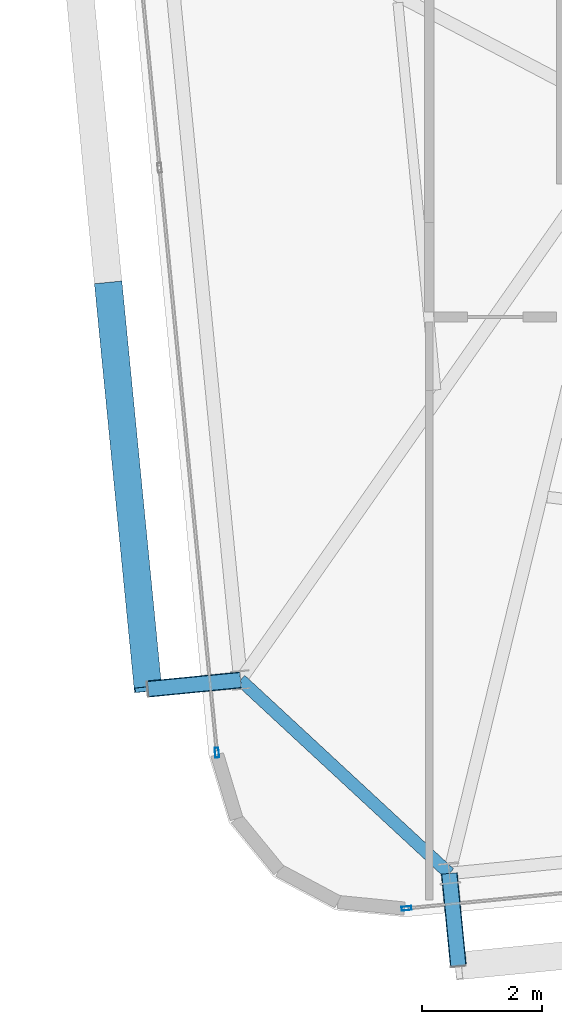
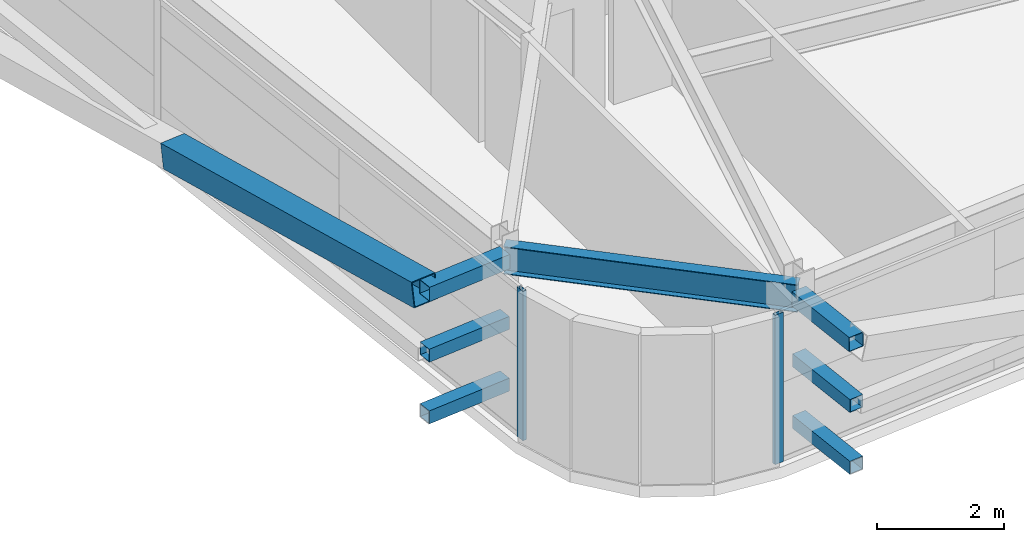
# One storey, part 5 of 47: 9 members, 1 beam, 2 elements without a shape of their own.
"""IFC4 building model written with IfcOpenShell, lengths in metres."""

from ifc_helpers import new_model, si_unit, direction, frame, origin, origin_2d, place, context, subcontext, project, spatial, hollow_rectangle, i_section, extrude, source, transform, mapped, material, layer, layer_set, material_profile, profile_set, type_object, element, aggregate, save


model = new_model("IFC4")

# Units and contexts
model_context = context("Model", 3, precision=1e-05, world=origin(), true_north=direction((0.0, 1.0)))
body_context = subcontext(model_context, "Body", "Model", "MODEL_VIEW")
ifc_project = project(units=[si_unit("LENGTHUNIT", "METRE"), si_unit("AREAUNIT", "SQUARE_METRE"), si_unit("VOLUMEUNIT", "CUBIC_METRE"), si_unit("PLANEANGLEUNIT", "RADIAN"), si_unit("MASSUNIT", "GRAM", prefix="KILO")], contexts=[model_context])

# Site, building, storey
site_placement = place(None, origin())
site = spatial("IfcSite", under=ifc_project, at=site_placement, CompositionType="ELEMENT")
building_placement = place(site_placement, origin())
building = spatial("IfcBuilding", under=site, at=building_placement, Name="Taldren Reach Tower", CompositionType="ELEMENT")
storey_placement = place(building_placement, frame((0.0, 0.0, 109.199951171875)))
storey = spatial("IfcBuildingStorey", under=building, at=storey_placement, Name="L33", CompositionType="ELEMENT", Elevation=109.199951171875)

# Beam
ifc_material_1 = material(Name="Steel Gr 350 (350PLUS)", Category="steel")
ifc_material_profile_1 = material_profile(ifc_material_1, i_section(OverallWidth=0.208984375, OverallDepth=0.528076171875, WebThickness=0.009521484375, FlangeThickness=0.01318359375, at=origin_2d()), Name="530UB82.0")
ifc_profile_set_1 = profile_set([ifc_material_profile_1], Name="Steel Gr 350 (350PLUS)")
beam_type = type_object("IfcBeamType", Name="SP-UB530B", PredefinedType="SPANDREL", material=ifc_profile_set_1)
shared_shape_1 = source(origin(), body_context, "Body", "SweptSolid", [
    extrude(i_section(OverallWidth=0.208984375, OverallDepth=0.528076171875, WebThickness=0.009521484375, FlangeThickness=0.01318359375, at=origin_2d()), origin(), (0.0, 0.0, 1.0), 4.745849609375),
])
beam_placement = place(storey_placement, frame((11.452880859375, 3.145751953125, 2.60595703125), z_axis=(0.733524121458, -0.679663419083, 0.0), x_axis=(0.679663419083, 0.733524121458, 0.0)))
element("IfcBeam", 1, at=beam_placement, inside=storey, type_object=beam_type, Name="Perimeter spandrel B2 W1-S1 L33", PredefinedType="SPANDREL", context=body_context, shape_type="MappedRepresentation", body=[
    mapped(shared_shape_1, transform((0.0, 0.0, 0.0), scale=1.0)),
])

# Members
ifc_material_2 = material(Name="Steel Gr 450 (C450L0)", Category="steel")
ifc_material_profile_2 = material_profile(ifc_material_2, hollow_rectangle(XDim=0.27490234375, YDim=0.27490234375, WallThickness=0.00927734375, at=origin_2d()), Name="275x275x9.3SHS")
ifc_profile_set_2 = profile_set([ifc_material_profile_2], Name="Steel Gr 450 (C450L0)")
member_type_1 = type_object("IfcMemberType", Name="MB-TIE273", PredefinedType="STRUT", material=ifc_profile_set_2)
shared_shape_2 = source(origin(), body_context, "Body", "SweptSolid", [
    extrude(hollow_rectangle(XDim=0.27490234375, YDim=0.27490234375, WallThickness=0.00927734375, at=origin_2d()), origin(), (0.0, 0.0, 1.0), 1.550048828125),
])
for number, where, z_axis, x_axis, name in (
    (2, (14.93408203125, -0.079833984375, 2.590087890625), (0.097647892962, -0.9952210252, 0.0), (0.9952210252, 0.097647892962, 0.0), "Exoskeleton diaphragm tie strut B2-S1 L33"),
    (3, (11.452880859375, 3.145751953125, 2.590087890625), (-0.995236318924, -0.097491894511, 0.0), (0.097491894511, -0.995236318924, 0.0), "Exoskeleton diaphragm tie strut B2-W1 L33"),
):
    element("IfcMember", number, at=place(storey_placement, frame(where, z_axis=z_axis, x_axis=x_axis)), inside=storey, type_object=member_type_1, Name=name, PredefinedType="STRUT", context=body_context, shape_type="MappedRepresentation", body=[
        mapped(shared_shape_2, transform((0.0, 0.0, 0.0), scale=1.0)),
    ])
ifc_material_3 = material(Name="Steel Gr 350 (C350L0)", Category="steel")
ifc_material_profile_3 = material_profile(ifc_material_3, hollow_rectangle(XDim=0.25, YDim=0.25, WallThickness=0.010009765625, at=origin_2d()), Name="250x250x10.0SHS")
ifc_profile_set_3 = profile_set([ifc_material_profile_3], Name="Steel Gr 350 (C350L0)")
member_type_2 = type_object("IfcMemberType", Name="MB-POST250", PredefinedType="POST", material=ifc_profile_set_3)
shared_shape_3 = source(origin(), body_context, "Body", "SweptSolid", [
    extrude(hollow_rectangle(XDim=0.25, YDim=0.25, WallThickness=0.010009765625, at=origin_2d()), origin(), (0.0, 0.0, 1.0), 1.550048828125),
])
for number, where, z_axis, x_axis, name in (
    (4, (14.93408203125, -0.079833984375, 0.219970703125), (0.097647892962, -0.9952210252, 0.0), (0.9952210252, 0.097647892962, 0.0), "Exoskeleton base diaphragm tie strut B2-S1 L33"),
    (5, (11.452880859375, 3.145751953125, 0.219970703125), (-0.995236318924, -0.097491894511, 0.0), (0.097491894511, -0.995236318924, 0.0), "Exoskeleton base diaphragm tie strut B2-W1 L33"),
    (6, (14.93408203125, -0.079833984375, 1.405029296875), (0.097647892962, -0.9952210252, 0.0), (0.9952210252, 0.097647892962, 0.0), "Exoskeleton mid-tier diaphragm tie B2-S1 L33"),
    (7, (11.452880859375, 3.145751953125, 1.405029296875), (-0.995236318924, -0.097491894511, 0.0), (0.097491894511, -0.995236318924, 0.0), "Exoskeleton mid-tier diaphragm tie B2-W1 L33"),
):
    element("IfcMember", number, at=place(storey_placement, frame(where, z_axis=z_axis, x_axis=x_axis)), inside=storey, type_object=member_type_2, Name=name, PredefinedType="POST", context=body_context, shape_type="MappedRepresentation", body=[
        mapped(shared_shape_3, transform((0.0, 0.0, 0.0), scale=1.0)),
    ])
ifc_material_profile_4 = material_profile(ifc_material_2, hollow_rectangle(XDim=0.4599609375, YDim=0.4599609375, WallThickness=0.01611328125, at=origin_2d()), Name="460x460x16.0SHS")
ifc_profile_set_4 = profile_set([ifc_material_profile_4], Name="Steel Gr 450 (C450L0)")
member_type_3 = type_object("IfcMemberType", Name="MB-EXO457", PredefinedType="BRACE", material=ifc_profile_set_4)
shared_shape_4 = source(origin(), body_context, "Body", "SweptSolid", [
    extrude(hollow_rectangle(XDim=0.4599609375, YDim=0.4599609375, WallThickness=0.01611328125, at=origin_2d()), origin(), (0.0, 0.0, 1.0), 6.8779296875),
])
member_1_placement = place(storey_placement, frame((9.2490234375, 9.7373046875, 1.405029296875), z_axis=(0.096124602974, -0.980343162824, 0.172300156143), x_axis=(0.995227290009, 0.097584021339, 0.0)))
element("IfcMember", 8, at=member_1_placement, inside=storey, type_object=member_type_3, Name="Exoskeleton Diagrid Brace B2-W1 L33", PredefinedType="BRACE", context=body_context, shape_type="MappedRepresentation", body=[
    mapped(shared_shape_4, transform((0.0, 0.0, 0.0), scale=1.0)),
])

# Curtain wall, member
ifc_material_4 = material(Name="Aluminium and Low-E Glass Unitised System", Category="aluminium")
ifc_layer = layer(ifc_material_4, 0.159912109375)
ifc_layer_set = layer_set([ifc_layer], Name="Aluminium and Low-E Glass Unitised System")
curtain_wall_type = type_object("IfcCurtainWallType", Name="CW-SYS-3", PredefinedType="NOTDEFINED", material=ifc_layer_set)
curtain_wall_1_placement = place(storey_placement, origin())
curtain_wall_1 = element("IfcCurtainWall", 9, at=curtain_wall_1_placement, inside=storey, type_object=curtain_wall_type, Name="Unitised curtain wall CW-L33-S", PredefinedType="NOTDEFINED")
ifc_material_5 = material(Name="Anodised Aluminium 6063-T6", Category="aluminium")
ifc_material_profile_5 = material_profile(ifc_material_5, hollow_rectangle(XDim=0.06494140625, YDim=0.1650390625, WallThickness=0.00390625, at=origin_2d()), Name="ALU-165x65x4RHS")
ifc_profile_set_5 = profile_set([ifc_material_profile_5], Name="Anodised Aluminium 6063-T6")
member_type_4 = type_object("IfcMemberType", Name="CW-MUL-165", PredefinedType="MULLION", material=ifc_profile_set_5)
shared_shape_5 = source(origin(), body_context, "Body", "SweptSolid", [
    extrude(hollow_rectangle(XDim=0.06494140625, YDim=0.1650390625, WallThickness=0.00390625, at=origin_2d()), origin(), (0.0, 0.0, 1.0), 2.8701171875),
])
member_2_placement = place(storey_placement, frame((14.22021484375, -0.662353515625, 0.0), z_axis=(0.0, 0.0, 1.0), x_axis=(-0.097582999046, 0.995227390247, 0.0)))
member_2 = element("IfcMember", 10, at=member_2_placement, type_object=member_type_4, Name="CW-3 mullion 1", PredefinedType="MULLION", context=body_context, shape_type="MappedRepresentation", body=[
    mapped(shared_shape_5, transform((0.0, 0.0, 0.0), scale=1.0)),
])
aggregate(curtain_wall_1, [member_2])

curtain_wall_2_placement = place(storey_placement, origin())
curtain_wall_2 = element("IfcCurtainWall", 11, at=curtain_wall_2_placement, inside=storey, type_object=curtain_wall_type, Name="Unitised curtain wall CW-L33-W", PredefinedType="NOTDEFINED")
member_3_placement = place(storey_placement, frame((11.05908203125, 1.93408203125, 0.0), z_axis=(0.0, 0.0, 1.0), x_axis=(0.99522741555, 0.09758274098, 0.0)))
member_3 = element("IfcMember", 12, at=member_3_placement, type_object=member_type_4, Name="CW-3 mullion 4", PredefinedType="MULLION", context=body_context, shape_type="MappedRepresentation", body=[
    mapped(shared_shape_5, transform((0.0, 0.0, 0.0), scale=1.0)),
])
aggregate(curtain_wall_2, [member_3])

save(model, "model.ifc")
